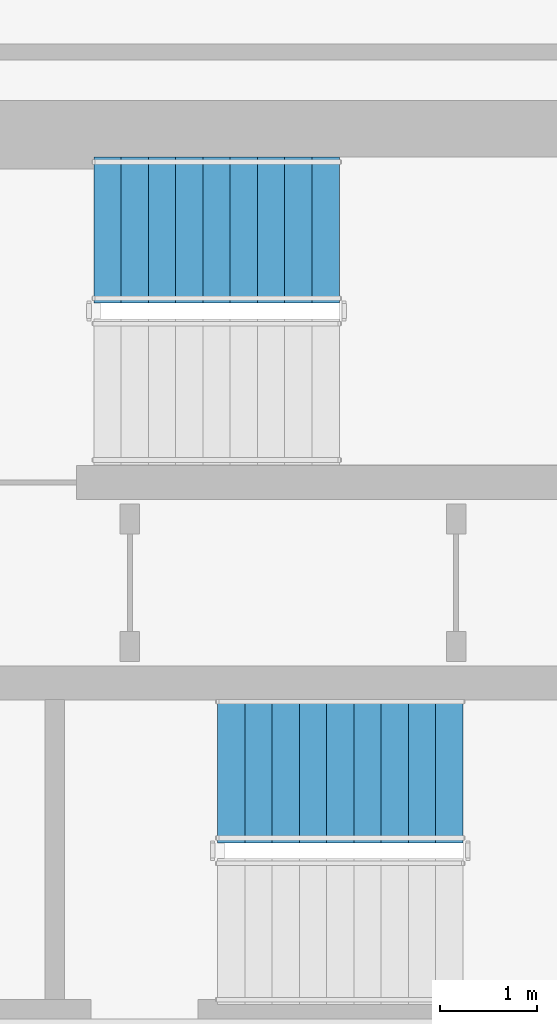
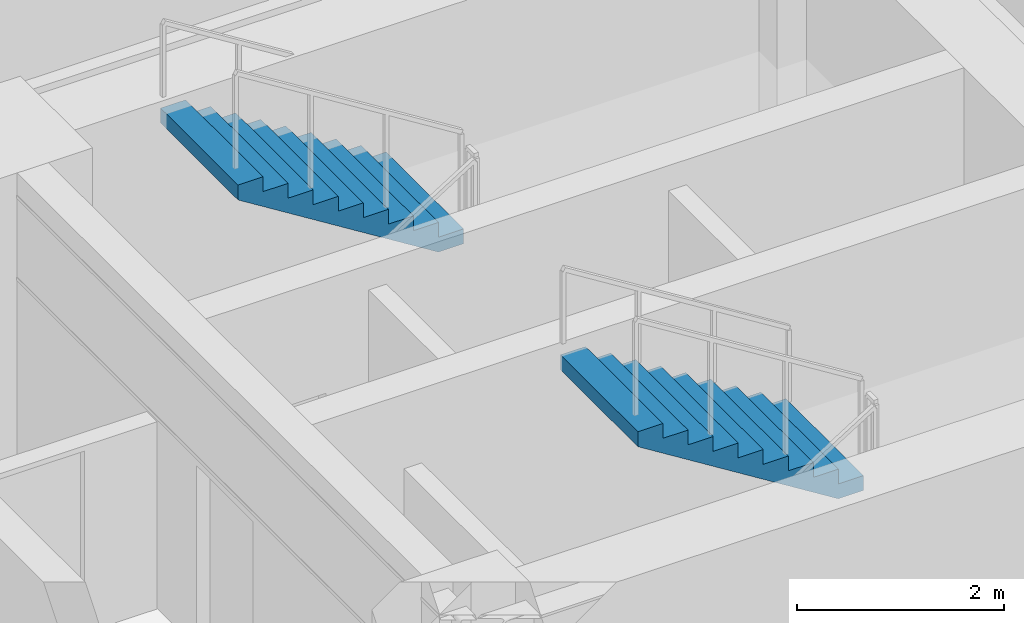
# One storey, part 12 of 15: 2 stair flights, 2 elements without a shape of their own.
"""IFC4 building model written with IfcOpenShell, lengths in metres."""

from ifc_helpers import new_model, si_unit, direction, frame, origin, place, context, subcontext, project, spatial, polyline, outline, extrude, material, layer, layer_set, type_object, element, aggregate, save


model = new_model("IFC4")

# Units and contexts
model_context = context("Model", 3, precision=1e-05, world=origin(), true_north=direction((0.0, 1.0)))
body_context = subcontext(model_context, "Body", "Model", "MODEL_VIEW")
ifc_project = project(units=[si_unit("LENGTHUNIT", "METRE"), si_unit("AREAUNIT", "SQUARE_METRE"), si_unit("VOLUMEUNIT", "CUBIC_METRE"), si_unit("PLANEANGLEUNIT", "RADIAN"), si_unit("MASSUNIT", "GRAM", prefix="KILO")], contexts=[model_context])

# Site, building, storey
site_placement = place(None, origin())
site = spatial("IfcSite", under=ifc_project, at=site_placement, CompositionType="ELEMENT")
building_placement = place(site_placement, origin())
building = spatial("IfcBuilding", under=site, at=building_placement, Name="Zarnavel Station Tower", CompositionType="ELEMENT")
storey_placement = place(building_placement, frame((0.0, 0.0, 43.0)))
storey = spatial("IfcBuildingStorey", under=building, at=storey_placement, Name="L11", CompositionType="ELEMENT", Elevation=43.0)

# Stair, stair flight
ifc_material_1 = material(Name="Concrete C45/55", Category="concrete")
stair_type = type_object("IfcStairType", Name="ST_CORE_150", PredefinedType="HALF_TURN_STAIR", material=ifc_material_1)
stair_1_placement = place(storey_placement, origin())
stair_1 = element("IfcStair", 1, at=stair_1_placement, inside=storey, type_object=stair_type, Name="L11 Core Exit Stair ST2", PredefinedType="HALF_TURN_STAIR")
ifc_material_2 = material(Name="Concrete C45/55", Category="concrete")
ifc_layer = layer(ifc_material_2, 0.179931640625)
ifc_layer_set = layer_set([ifc_layer], Name="ST_CORE_150_FLT")
stair_flight_type = type_object("IfcStairFlightType", Name="ST_CORE_150_FLT", PredefinedType="STRAIGHT", material=ifc_layer_set)
stair_flight_1_placement = place(storey_placement, frame((40.60009765625, 36.070068359375, 1.75), z_axis=(0.0, 0.0, 1.0), x_axis=(-1.0, 0.0, 0.0)))
stair_flight_1 = element("IfcStairFlight", 2, at=stair_flight_1_placement, type_object=stair_flight_type, Name="ST2 flight 2", NumberOfRisers=10, NumberOfTreads=9, PredefinedType="STRAIGHT", RiserHeight=0.175, TreadLength=0.28, context=body_context, shape_type="SweptSolid", body=[
    extrude(outline(polyline([(0.0, 0.0), (0.0, 0.175048828125), (0.280029296875, 0.175048828125), (0.280029296875, 0.35009765625), (0.56005859375, 0.35009765625), (0.56005859375, 0.52490234375), (0.840087890625, 0.52490234375), (0.840087890625, 0.699951171875), (1.1201171875, 0.699951171875), (1.1201171875, 0.875), (1.39990234375, 0.875), (1.39990234375, 1.050048828125), (1.679931640625, 1.050048828125), (1.679931640625, 1.22509765625), (1.9599609375, 1.22509765625), (1.9599609375, 1.39990234375), (2.239990234375, 1.39990234375), (2.239990234375, 1.574951171875), (2.52001953125, 1.574951171875), (2.52001953125, 1.75), (2.52001953125, 1.398193359375), (0.28271484375, 0.0), (0.0, 0.0)])), frame((0.0, 0.75, 0.0), z_axis=(0.0, -1.0, 0.0), x_axis=(1.0, 0.0, 0.0)), (0.0, 0.0, 1.0), 1.5),
])
aggregate(stair_1, [stair_flight_1])

stair_2_placement = place(storey_placement, origin())
stair_2 = element("IfcStair", 3, at=stair_2_placement, inside=storey, type_object=stair_type, Name="L11 Core Exit Stair ST3", PredefinedType="HALF_TURN_STAIR")
stair_flight_2_placement = place(storey_placement, frame((41.8701171875, 30.530029296875, 1.75), z_axis=(0.0, 0.0, 1.0), x_axis=(-1.0, 0.0, 0.0)))
stair_flight_2 = element("IfcStairFlight", 4, at=stair_flight_2_placement, type_object=stair_flight_type, Name="ST3 flight 2", NumberOfRisers=10, NumberOfTreads=9, PredefinedType="STRAIGHT", RiserHeight=0.175, TreadLength=0.28, context=body_context, shape_type="SweptSolid", body=[
    extrude(outline(polyline([(0.0, 0.0), (0.0, 0.175048828125), (0.280029296875, 0.175048828125), (0.280029296875, 0.35009765625), (0.56005859375, 0.35009765625), (0.56005859375, 0.52490234375), (0.840087890625, 0.52490234375), (0.840087890625, 0.699951171875), (1.1201171875, 0.699951171875), (1.1201171875, 0.875), (1.39990234375, 0.875), (1.39990234375, 1.050048828125), (1.679931640625, 1.050048828125), (1.679931640625, 1.22509765625), (1.9599609375, 1.22509765625), (1.9599609375, 1.39990234375), (2.239990234375, 1.39990234375), (2.239990234375, 1.574951171875), (2.52001953125, 1.574951171875), (2.52001953125, 1.75), (2.52001953125, 1.398193359375), (0.28271484375, 0.0), (0.0, 0.0)])), frame((0.0, 0.75, 0.0), z_axis=(0.0, -1.0, 0.0), x_axis=(1.0, 0.0, 0.0)), (0.0, 0.0, 1.0), 1.5),
])
aggregate(stair_2, [stair_flight_2])

save(model, "model.ifc")
